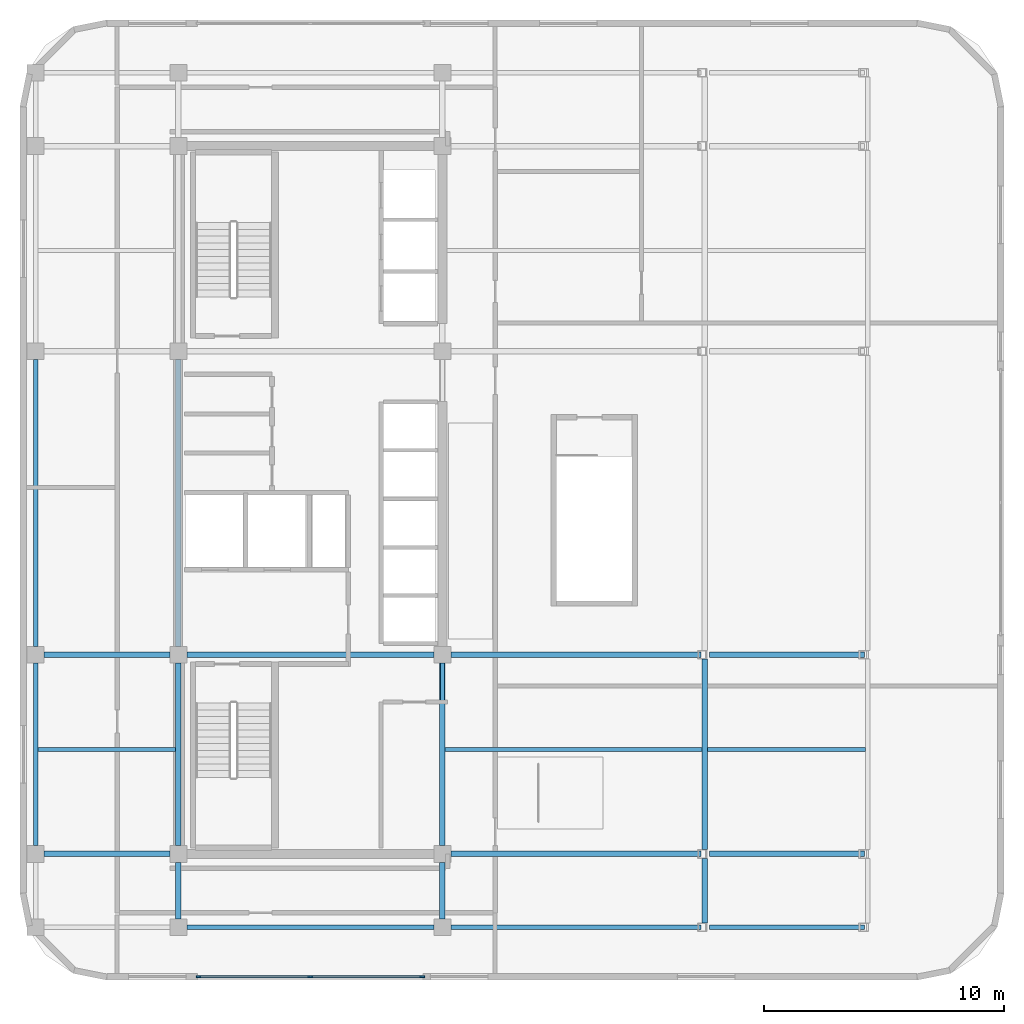
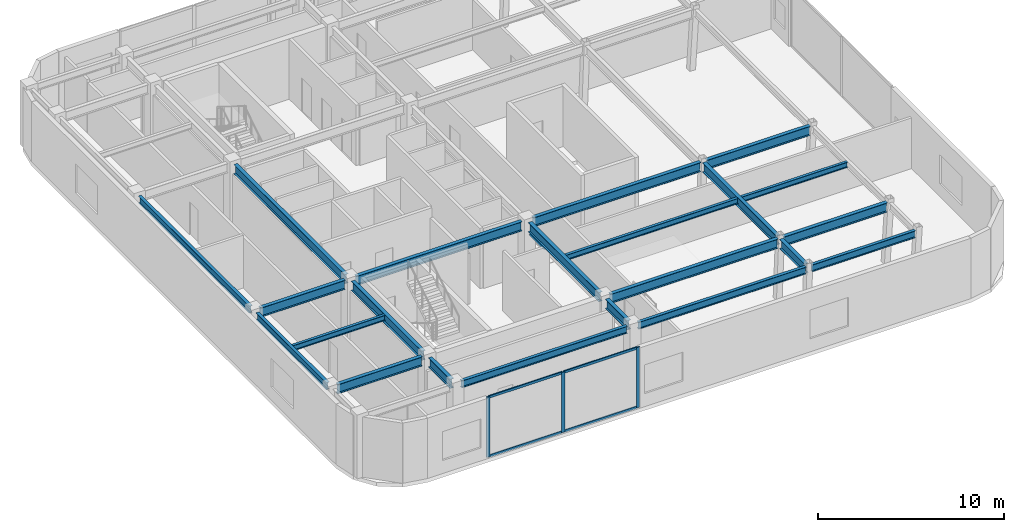
# One storey, part 2 of 10: 23 beams, 7 members, 1 element without a shape of its own.
"""IFC4 building model written with IfcOpenShell, lengths in metres."""

from ifc_helpers import new_model, si_unit, direction, frame, origin, origin_2d, place, context, subcontext, project, spatial, rectangle, i_section, extrude, material, layer, layer_set, material_profile, profile_set, type_object, element, aggregate, save


model = new_model("IFC4")

# Units and contexts
model_context = context("Model", 3, precision=1e-05, world=origin(), true_north=direction((0.0, 1.0)))
body_context = subcontext(model_context, "Body", "Model", "MODEL_VIEW")
ifc_project = project(units=[si_unit("LENGTHUNIT", "METRE"), si_unit("AREAUNIT", "SQUARE_METRE"), si_unit("VOLUMEUNIT", "CUBIC_METRE"), si_unit("PLANEANGLEUNIT", "RADIAN"), si_unit("MASSUNIT", "GRAM", prefix="KILO")], contexts=[model_context])

# Site, building, storey
site_placement = place(None, origin())
site = spatial("IfcSite", under=ifc_project, at=site_placement, CompositionType="ELEMENT")
building_placement = place(site_placement, origin())
building = spatial("IfcBuilding", under=site, at=building_placement, Name="Ochreholt Gables", CompositionType="ELEMENT")
storey_placement = place(building_placement, frame((0.0, 0.0, 173.39990234375)))
storey = spatial("IfcBuildingStorey", under=building, at=storey_placement, Name="L45", CompositionType="ELEMENT", Elevation=173.39990234375)

# Beams
ifc_material_1 = material(Name="Steel CSA G40.21 350W", Category="steel")
ifc_material_profile_1 = material_profile(ifc_material_1, i_section(OverallWidth=0.22900390625, OverallDepth=0.612060546875, WebThickness=0.011962890625, FlangeThickness=0.01953125, at=origin_2d()), Name="W610X125")
ifc_profile_set_1 = profile_set([ifc_material_profile_1], Name="Steel CSA G40.21 350W")
beam_type_1 = type_object("IfcBeamType", Name="BM-G-W610B", PredefinedType="BEAM", material=ifc_profile_set_1)
beam_1_placement = place(storey_placement, frame((18.599609375, 9.25, 3.654052734375), z_axis=(1.0, 0.0, 0.0), x_axis=(0.0, 1.0, 0.0)))
element("IfcBeam", 1, at=beam_1_placement, inside=storey, type_object=beam_type_1, Name="L45 Beam TBG-L45-W3C1-Y2", PredefinedType="BEAM", context=body_context, shape_type="SweptSolid", body=[
    extrude(i_section(OverallWidth=0.22900390625, OverallDepth=0.612060546875, WebThickness=0.011962890625, FlangeThickness=0.01953125, at=origin_2d()), origin(), (0.0, 0.0, 1.0), 5.250732421875),
])
beam_2_placement = place(storey_placement, frame((35.549560546875, 9.25, 3.654052734375), z_axis=(1.0, 0.0, 0.0), x_axis=(0.0, 1.0, 0.0)))
element("IfcBeam", 2, at=beam_2_placement, inside=storey, type_object=beam_type_1, Name="L45 Beam TBG-L45-C2EM-Y2", PredefinedType="BEAM", context=body_context, shape_type="SweptSolid", body=[
    extrude(i_section(OverallWidth=0.22900390625, OverallDepth=0.612060546875, WebThickness=0.011962890625, FlangeThickness=0.01953125, at=origin_2d()), origin(), (0.0, 0.0, 1.0), 10.4248046875),
])
beam_3_placement = place(storey_placement, frame((46.32958984375, 9.25, 3.654052734375), z_axis=(1.0, 0.0, 0.0), x_axis=(0.0, 1.0, 0.0)))
element("IfcBeam", 3, at=beam_3_placement, inside=storey, type_object=beam_type_1, Name="L45 Beam TBG-L45-EMEE-Y2", PredefinedType="BEAM", context=body_context, shape_type="SweptSolid", body=[
    extrude(i_section(OverallWidth=0.22900390625, OverallDepth=0.612060546875, WebThickness=0.011962890625, FlangeThickness=0.01953125, at=origin_2d()), origin(), (0.0, 0.0, 1.0), 6.450439453125),
])
beam_4_placement = place(storey_placement, frame((18.599609375, 17.550048828125, 3.654052734375), z_axis=(1.0, 0.0, 0.0), x_axis=(0.0, 1.0, 0.0)))
element("IfcBeam", 4, at=beam_4_placement, inside=storey, type_object=beam_type_1, Name="L45 Beam TBG-L45-W3C1-Y3", PredefinedType="BEAM", context=body_context, shape_type="SweptSolid", body=[
    extrude(i_section(OverallWidth=0.22900390625, OverallDepth=0.612060546875, WebThickness=0.011962890625, FlangeThickness=0.01953125, at=origin_2d()), origin(), (0.0, 0.0, 1.0), 5.250732421875),
])
beam_5_placement = place(storey_placement, frame((24.549560546875, 17.550048828125, 3.654052734375), z_axis=(1.0, 0.0, 0.0), x_axis=(0.0, 1.0, 0.0)))
element("IfcBeam", 5, at=beam_5_placement, inside=storey, type_object=beam_type_1, Name="L45 Beam TBG-L45-C1C2-Y3", PredefinedType="BEAM", context=body_context, shape_type="SweptSolid", body=[
    extrude(i_section(OverallWidth=0.22900390625, OverallDepth=0.612060546875, WebThickness=0.011962890625, FlangeThickness=0.01953125, at=origin_2d()), origin(), (0.0, 0.0, 1.0), 10.30078125),
])
beam_6_placement = place(storey_placement, frame((35.549560546875, 17.550048828125, 3.654052734375), z_axis=(1.0, 0.0, 0.0), x_axis=(0.0, 1.0, 0.0)))
element("IfcBeam", 6, at=beam_6_placement, inside=storey, type_object=beam_type_1, Name="L45 Beam TBG-L45-C2EM-Y3", PredefinedType="BEAM", context=body_context, shape_type="SweptSolid", body=[
    extrude(i_section(OverallWidth=0.22900390625, OverallDepth=0.612060546875, WebThickness=0.011962890625, FlangeThickness=0.01953125, at=origin_2d()), origin(), (0.0, 0.0, 1.0), 10.4248046875),
])
beam_7_placement = place(storey_placement, frame((46.32958984375, 17.550048828125, 3.654052734375), z_axis=(1.0, 0.0, 0.0), x_axis=(0.0, 1.0, 0.0)))
element("IfcBeam", 7, at=beam_7_placement, inside=storey, type_object=beam_type_1, Name="L45 Beam TBG-L45-EMEE-Y3", PredefinedType="BEAM", context=body_context, shape_type="SweptSolid", body=[
    extrude(i_section(OverallWidth=0.22900390625, OverallDepth=0.612060546875, WebThickness=0.011962890625, FlangeThickness=0.01953125, at=origin_2d()), origin(), (0.0, 0.0, 1.0), 6.450439453125),
])
beam_8_placement = place(storey_placement, frame((24.199951171875, 6.549560546875, 3.654052734375), z_axis=(0.0, 1.0, 0.0), x_axis=(-1.0, 0.0, 0.0)))
element("IfcBeam", 8, at=beam_8_placement, inside=storey, type_object=beam_type_1, Name="L45 Beam TBN-L45-C1-Y1Y2", PredefinedType="BEAM", context=body_context, shape_type="SweptSolid", body=[
    extrude(i_section(OverallWidth=0.22900390625, OverallDepth=0.612060546875, WebThickness=0.011962890625, FlangeThickness=0.01953125, at=origin_2d()), origin(), (0.0, 0.0, 1.0), 2.350830078125),
])
beam_9_placement = place(storey_placement, frame((24.199951171875, 9.599609375, 3.654052734375), z_axis=(0.0, 1.0, 0.0), x_axis=(-1.0, 0.0, 0.0)))
element("IfcBeam", 9, at=beam_9_placement, inside=storey, type_object=beam_type_1, Name="L45 Beam TBN-L45-C1-Y2Y3", PredefinedType="BEAM", context=body_context, shape_type="SweptSolid", body=[
    extrude(i_section(OverallWidth=0.22900390625, OverallDepth=0.612060546875, WebThickness=0.011962890625, FlangeThickness=0.01953125, at=origin_2d()), origin(), (0.0, 0.0, 1.0), 7.600830078125),
])
beam_10_placement = place(storey_placement, frame((24.199951171875, 17.899658203125, 3.654052734375), z_axis=(0.0, 1.0, 0.0), x_axis=(-1.0, 0.0, 0.0)))
element("IfcBeam", 10, at=beam_10_placement, inside=storey, type_object=beam_type_1, Name="L45 Beam TBN-L45-C1-Y3Y4", PredefinedType="BEAM", context=body_context, shape_type="SweptSolid", body=[
    extrude(i_section(OverallWidth=0.22900390625, OverallDepth=0.612060546875, WebThickness=0.011962890625, FlangeThickness=0.01953125, at=origin_2d()), origin(), (0.0, 0.0, 1.0), 11.95068359375),
])
beam_11_placement = place(storey_placement, frame((35.199951171875, 6.549560546875, 3.654052734375), z_axis=(0.0, 1.0, 0.0), x_axis=(-1.0, 0.0, 0.0)))
element("IfcBeam", 11, at=beam_11_placement, inside=storey, type_object=beam_type_1, Name="L45 Beam TBN-L45-C2-Y1Y2", PredefinedType="BEAM", context=body_context, shape_type="SweptSolid", body=[
    extrude(i_section(OverallWidth=0.22900390625, OverallDepth=0.612060546875, WebThickness=0.011962890625, FlangeThickness=0.01953125, at=origin_2d()), origin(), (0.0, 0.0, 1.0), 2.350830078125),
])
beam_12_placement = place(storey_placement, frame((35.199951171875, 9.599609375, 3.654052734375), z_axis=(0.0, 1.0, 0.0), x_axis=(-1.0, 0.0, 0.0)))
element("IfcBeam", 12, at=beam_12_placement, inside=storey, type_object=beam_type_1, Name="L45 Beam TBN-L45-C2-Y2Y3", PredefinedType="BEAM", context=body_context, shape_type="SweptSolid", body=[
    extrude(i_section(OverallWidth=0.22900390625, OverallDepth=0.612060546875, WebThickness=0.011962890625, FlangeThickness=0.01953125, at=origin_2d()), origin(), (0.0, 0.0, 1.0), 7.600830078125),
])
beam_13_placement = place(storey_placement, frame((46.135009765625, 6.377685546875, 3.654052734375), z_axis=(0.0, 1.0, 0.0), x_axis=(-1.0, 0.0, 0.0)))
element("IfcBeam", 13, at=beam_13_placement, inside=storey, type_object=beam_type_1, Name="L45 Beam TBN-L45-EM-Y1Y2", PredefinedType="BEAM", context=body_context, shape_type="SweptSolid", body=[
    extrude(i_section(OverallWidth=0.22900390625, OverallDepth=0.612060546875, WebThickness=0.011962890625, FlangeThickness=0.01953125, at=origin_2d()), origin(), (0.0, 0.0, 1.0), 2.69482421875),
])
beam_14_placement = place(storey_placement, frame((46.135009765625, 9.427490234375, 3.654052734375), z_axis=(0.0, 1.0, 0.0), x_axis=(-1.0, 0.0, 0.0)))
element("IfcBeam", 14, at=beam_14_placement, inside=storey, type_object=beam_type_1, Name="L45 Beam TBN-L45-EM-Y2Y3", PredefinedType="BEAM", context=body_context, shape_type="SweptSolid", body=[
    extrude(i_section(OverallWidth=0.22900390625, OverallDepth=0.612060546875, WebThickness=0.011962890625, FlangeThickness=0.01953125, at=origin_2d()), origin(), (0.0, 0.0, 1.0), 7.94482421875),
])
ifc_material_profile_2 = material_profile(ifc_material_1, i_section(OverallWidth=0.172119140625, OverallDepth=0.35791015625, WebThickness=0.0078125, FlangeThickness=0.01318359375, at=origin_2d()), Name="W360X57")
ifc_profile_set_2 = profile_set([ifc_material_profile_2], Name="Steel CSA G40.21 350W")
beam_type_2 = type_object("IfcBeamType", Name="BM-J-W360B", PredefinedType="JOIST", material=ifc_profile_set_2)
beam_15_placement = place(storey_placement, frame((18.345703125, 13.60009765625, 3.781005859375), z_axis=(1.0, 0.0, 0.0), x_axis=(0.0, 1.0, 0.0)))
element("IfcBeam", 15, at=beam_15_placement, inside=storey, type_object=beam_type_2, Name="L45 Beam TBJ-L45-J1-W3C1", PredefinedType="JOIST", context=body_context, shape_type="SweptSolid", body=[
    extrude(i_section(OverallWidth=0.172119140625, OverallDepth=0.35791015625, WebThickness=0.0078125, FlangeThickness=0.01318359375, at=origin_2d()), origin(), (0.0, 0.0, 1.0), 5.740234375),
])
beam_16_placement = place(storey_placement, frame((35.314208984375, 13.60009765625, 3.781005859375), z_axis=(1.0, 0.0, 0.0), x_axis=(0.0, 1.0, 0.0)))
element("IfcBeam", 16, at=beam_16_placement, inside=storey, type_object=beam_type_2, Name="L45 Beam TBJ-L45-J1-C2EM", PredefinedType="JOIST", context=body_context, shape_type="SweptSolid", body=[
    extrude(i_section(OverallWidth=0.172119140625, OverallDepth=0.35791015625, WebThickness=0.0078125, FlangeThickness=0.01318359375, at=origin_2d()), origin(), (0.0, 0.0, 1.0), 10.70654296875),
])
beam_17_placement = place(storey_placement, frame((46.2490234375, 13.60009765625, 3.781005859375), z_axis=(1.0, 0.0, 0.0), x_axis=(0.0, 1.0, 0.0)))
element("IfcBeam", 17, at=beam_17_placement, inside=storey, type_object=beam_type_2, Name="L45 Beam TBJ-L45-J1-EMEE", PredefinedType="JOIST", context=body_context, shape_type="SweptSolid", body=[
    extrude(i_section(OverallWidth=0.172119140625, OverallDepth=0.35791015625, WebThickness=0.0078125, FlangeThickness=0.01318359375, at=origin_2d()), origin(), (0.0, 0.0, 1.0), 6.58447265625),
])
ifc_material_profile_3 = material_profile(ifc_material_1, i_section(OverallWidth=0.1650390625, OverallDepth=0.200927734375, WebThickness=0.006103515625, FlangeThickness=0.01025390625, at=origin_2d()), Name="W200X36")
ifc_profile_set_3 = profile_set([ifc_material_profile_3], Name="Steel CSA G40.21 350W")
beam_type_3 = type_object("IfcBeamType", Name="BM-LIN-W200", PredefinedType="LINTEL", material=ifc_profile_set_3)
beam_18_placement = place(storey_placement, frame((35.2099609375, 15.550048828125, 3.24755859375), z_axis=(0.0, 1.0, 0.0), x_axis=(-1.0, 0.0, 0.0)))
element("IfcBeam", 18, at=beam_18_placement, inside=storey, type_object=beam_type_3, Name="L45 Core Coupling Lintel CPS", PredefinedType="LINTEL", context=body_context, shape_type="SweptSolid", body=[
    extrude(i_section(OverallWidth=0.1650390625, OverallDepth=0.200927734375, WebThickness=0.006103515625, FlangeThickness=0.01025390625, at=origin_2d()), origin(), (0.0, 0.0, 1.0), 1.64990234375),
])
ifc_material_profile_4 = material_profile(ifc_material_1, i_section(OverallWidth=0.19189453125, OverallDepth=0.462890625, WebThickness=0.010498046875, FlangeThickness=0.017578125, at=origin_2d()), Name="W460X89")
ifc_profile_set_4 = profile_set([ifc_material_profile_4], Name="Steel CSA G40.21 350W")
beam_type_4 = type_object("IfcBeamType", Name="BM-SP-W460A", PredefinedType="SPANDREL", material=ifc_profile_set_4)
beam_19_placement = place(storey_placement, frame((24.549560546875, 6.199951171875, 3.728515625), z_axis=(1.0, 0.0, 0.0), x_axis=(0.0, 1.0, 0.0)))
element("IfcBeam", 19, at=beam_19_placement, inside=storey, type_object=beam_type_4, Name="L45 Beam TBG-L45-C1C2-Y1", PredefinedType="SPANDREL", context=body_context, shape_type="SweptSolid", body=[
    extrude(i_section(OverallWidth=0.19189453125, OverallDepth=0.462890625, WebThickness=0.010498046875, FlangeThickness=0.017578125, at=origin_2d()), origin(), (0.0, 0.0, 1.0), 10.30078125),
])
beam_20_placement = place(storey_placement, frame((35.549560546875, 6.199951171875, 3.728515625), z_axis=(1.0, 0.0, 0.0), x_axis=(0.0, 1.0, 0.0)))
element("IfcBeam", 20, at=beam_20_placement, inside=storey, type_object=beam_type_4, Name="L45 Beam TBG-L45-C2EM-Y1", PredefinedType="SPANDREL", context=body_context, shape_type="SweptSolid", body=[
    extrude(i_section(OverallWidth=0.19189453125, OverallDepth=0.462890625, WebThickness=0.010498046875, FlangeThickness=0.017578125, at=origin_2d()), origin(), (0.0, 0.0, 1.0), 10.4248046875),
])
beam_21_placement = place(storey_placement, frame((46.32958984375, 6.199951171875, 3.728515625), z_axis=(1.0, 0.0, 0.0), x_axis=(0.0, 1.0, 0.0)))
element("IfcBeam", 21, at=beam_21_placement, inside=storey, type_object=beam_type_4, Name="L45 Beam TBG-L45-EMEE-Y1", PredefinedType="SPANDREL", context=body_context, shape_type="SweptSolid", body=[
    extrude(i_section(OverallWidth=0.19189453125, OverallDepth=0.462890625, WebThickness=0.010498046875, FlangeThickness=0.017578125, at=origin_2d()), origin(), (0.0, 0.0, 1.0), 6.450439453125),
])
beam_22_placement = place(storey_placement, frame((18.25, 9.599609375, 3.728515625), z_axis=(0.0, 1.0, 0.0), x_axis=(-1.0, 0.0, 0.0)))
element("IfcBeam", 22, at=beam_22_placement, inside=storey, type_object=beam_type_4, Name="L45 Beam TBN-L45-W3-Y2Y3", PredefinedType="SPANDREL", context=body_context, shape_type="SweptSolid", body=[
    extrude(i_section(OverallWidth=0.19189453125, OverallDepth=0.462890625, WebThickness=0.010498046875, FlangeThickness=0.017578125, at=origin_2d()), origin(), (0.0, 0.0, 1.0), 7.600830078125),
])
beam_23_placement = place(storey_placement, frame((18.25, 17.899658203125, 3.728515625), z_axis=(0.0, 1.0, 0.0), x_axis=(-1.0, 0.0, 0.0)))
element("IfcBeam", 23, at=beam_23_placement, inside=storey, type_object=beam_type_4, Name="L45 Beam TBN-L45-W3-Y3Y4", PredefinedType="SPANDREL", context=body_context, shape_type="SweptSolid", body=[
    extrude(i_section(OverallWidth=0.19189453125, OverallDepth=0.462890625, WebThickness=0.010498046875, FlangeThickness=0.017578125, at=origin_2d()), origin(), (0.0, 0.0, 1.0), 11.95068359375),
])

# Curtain wall, members
ifc_material_2 = material(Name="Unitised Aluminium and Triple Glazing", Category="aluminium")
ifc_layer = layer(ifc_material_2, 0.219970703125, Name="Unitised Aluminium and Triple Glazing")
ifc_layer_set = layer_set([ifc_layer], Name="Unitised Aluminium and Triple Glazing")
curtain_wall_type = type_object("IfcCurtainWallType", Name="CW-SYS6", PredefinedType="NOTDEFINED", material=ifc_layer_set)
curtain_wall_placement = place(storey_placement, origin())
curtain_wall = element("IfcCurtainWall", 24, at=curtain_wall_placement, inside=storey, type_object=curtain_wall_type, Name="L45 South Unitised Curtain Wall", PredefinedType="NOTDEFINED")
ifc_material_3 = material(Name="Anodized Aluminium 6063-T6", Category="aluminium")
ifc_material_profile_5 = material_profile(ifc_material_3, rectangle(XDim=0.074951171875, YDim=0.199951171875, at=origin_2d()), Name="CWM75X200")
ifc_profile_set_5 = profile_set([ifc_material_profile_5], Name="Anodized Aluminium 6063-T6")
member_type_1 = type_object("IfcMemberType", Name="CW-MUL-A", PredefinedType="MULLION", material=ifc_profile_set_5)
member_1_placement = place(storey_placement, frame((25.03759765625, 4.139892578125, 0.0), z_axis=(0.0, 0.0, 1.0), x_axis=(0.0, 1.0, 0.0)))
member_1 = element("IfcMember", 25, at=member_1_placement, type_object=member_type_1, Name="CW-6 mullion 1", PredefinedType="MULLION", context=body_context, shape_type="SweptSolid", body=[
    extrude(rectangle(XDim=0.074951171875, YDim=0.199951171875, at=origin_2d()), origin(), (0.0, 0.0, 1.0), 3.960205078125),
])
member_2_placement = place(storey_placement, frame((29.699951171875, 4.139892578125, 0.0), z_axis=(0.0, 0.0, 1.0), x_axis=(0.0, 1.0, 0.0)))
member_2 = element("IfcMember", 26, at=member_2_placement, type_object=member_type_1, Name="CW-6 mullion 2", PredefinedType="MULLION", context=body_context, shape_type="SweptSolid", body=[
    extrude(rectangle(XDim=0.074951171875, YDim=0.199951171875, at=origin_2d()), origin(), (0.0, 0.0, 1.0), 3.960205078125),
])
member_3_placement = place(storey_placement, frame((34.362548828125, 4.139892578125, 0.0), z_axis=(0.0, 0.0, 1.0), x_axis=(0.0, 1.0, 0.0)))
member_3 = element("IfcMember", 27, at=member_3_placement, type_object=member_type_1, Name="CW-6 mullion 3", PredefinedType="MULLION", context=body_context, shape_type="SweptSolid", body=[
    extrude(rectangle(XDim=0.074951171875, YDim=0.199951171875, at=origin_2d()), origin(), (0.0, 0.0, 1.0), 3.960205078125),
])
ifc_material_profile_6 = material_profile(ifc_material_3, rectangle(XDim=0.074951171875, YDim=0.159912109375, at=origin_2d()), Name="CWT75X160")
ifc_profile_set_6 = profile_set([ifc_material_profile_6], Name="Anodized Aluminium 6063-T6")
member_type_2 = type_object("IfcMemberType", Name="CW-TRN-A", PredefinedType="USERDEFINED", material=ifc_profile_set_6)
member_4_placement = place(storey_placement, frame((25.074951171875, 4.139892578125, 0.03759765625), z_axis=(1.0, 0.0, 0.0), x_axis=(0.0, 1.0, 0.0)))
member_4 = element("IfcMember", 28, at=member_4_placement, type_object=member_type_2, Name="CW-6 transom 1.1", ObjectType="TRANSOM", PredefinedType="USERDEFINED", context=body_context, shape_type="SweptSolid", body=[
    extrude(rectangle(XDim=0.074951171875, YDim=0.159912109375, at=origin_2d()), origin(), (0.0, 0.0, 1.0), 4.587646484375),
])
member_5_placement = place(storey_placement, frame((25.074951171875, 4.139892578125, 3.922607421875), z_axis=(1.0, 0.0, 0.0), x_axis=(0.0, 1.0, 0.0)))
member_5 = element("IfcMember", 29, at=member_5_placement, type_object=member_type_2, Name="CW-6 transom 1.2", ObjectType="TRANSOM", PredefinedType="USERDEFINED", context=body_context, shape_type="SweptSolid", body=[
    extrude(rectangle(XDim=0.074951171875, YDim=0.159912109375, at=origin_2d()), origin(), (0.0, 0.0, 1.0), 4.587646484375),
])
member_6_placement = place(storey_placement, frame((29.737548828125, 4.139892578125, 0.03759765625), z_axis=(1.0, 0.0, 0.0), x_axis=(0.0, 1.0, 0.0)))
member_6 = element("IfcMember", 30, at=member_6_placement, type_object=member_type_2, Name="CW-6 transom 2.1", ObjectType="TRANSOM", PredefinedType="USERDEFINED", context=body_context, shape_type="SweptSolid", body=[
    extrude(rectangle(XDim=0.074951171875, YDim=0.159912109375, at=origin_2d()), origin(), (0.0, 0.0, 1.0), 4.58740234375),
])
member_7_placement = place(storey_placement, frame((29.737548828125, 4.139892578125, 3.922607421875), z_axis=(1.0, 0.0, 0.0), x_axis=(0.0, 1.0, 0.0)))
member_7 = element("IfcMember", 31, at=member_7_placement, type_object=member_type_2, Name="CW-6 transom 2.2", ObjectType="TRANSOM", PredefinedType="USERDEFINED", context=body_context, shape_type="SweptSolid", body=[
    extrude(rectangle(XDim=0.074951171875, YDim=0.159912109375, at=origin_2d()), origin(), (0.0, 0.0, 1.0), 4.58740234375),
])
aggregate(curtain_wall, [member_1, member_2, member_3, member_4, member_5, member_6, member_7])

save(model, "model.ifc")
